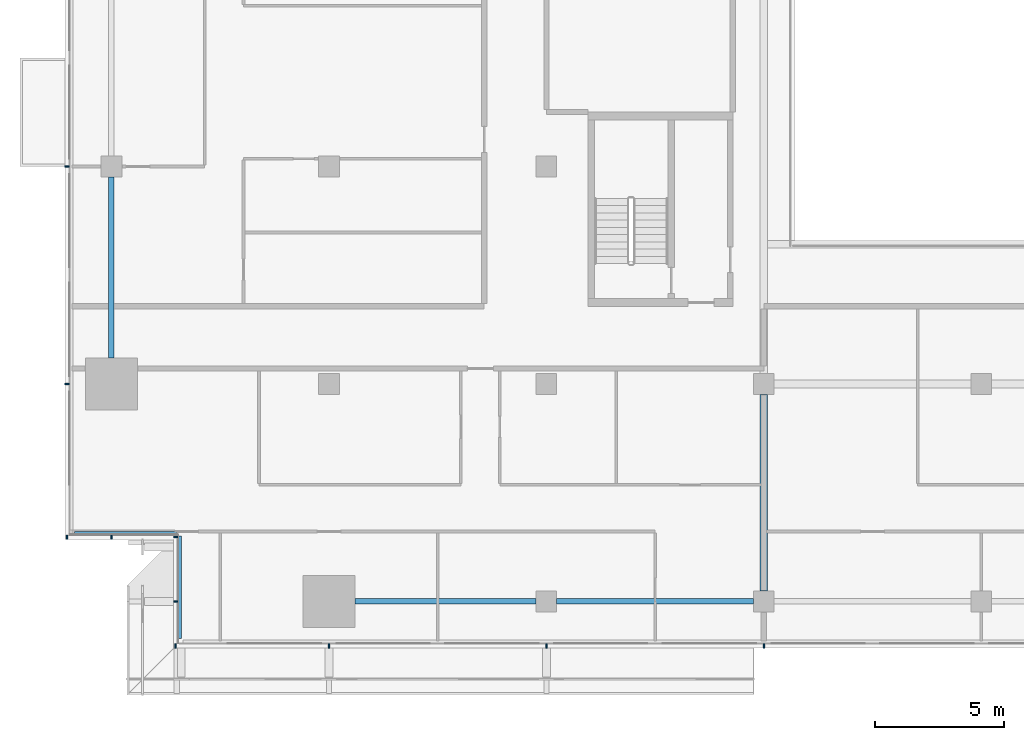
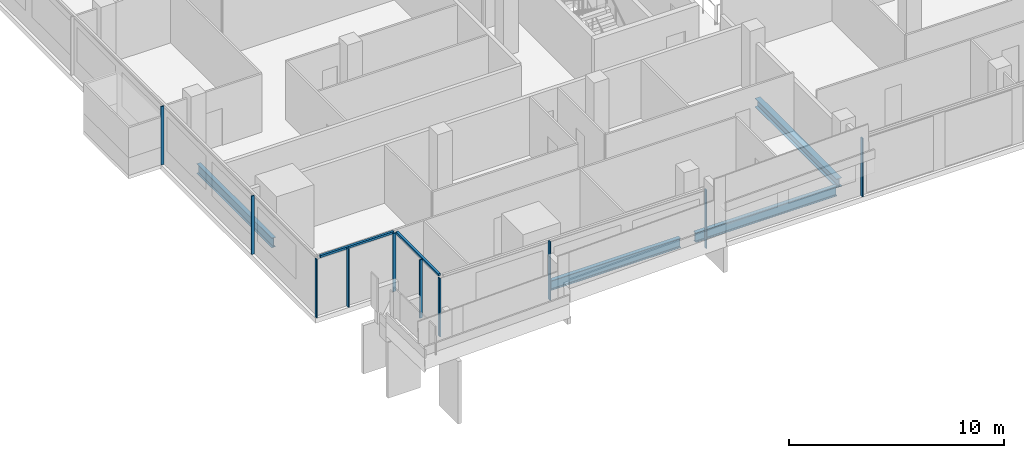
# One storey, part 2 of 29: 12 members, 4 beams, 4 elements without a shape of their own.
"""IFC4 building model written with IfcOpenShell, lengths in metres."""

import ifcopenshell
import ifcopenshell.guid

model = None  # the IFC model being written
_history = None  # IfcOwnerHistory: only IFC2X3 demands one
_inside = {}  # id of a spatial element -> (the spatial element, [elements in it])
_under = {}  # id of a project, library or spatial element -> (it, [spatial elements below it])
_declared = {}  # id of a project -> (the project, [libraries it declares])
_typed = {}  # id of a type object -> (the type object, [elements of that type])
_made_of = {}  # id of a material, layer set ... -> (it, [elements and type objects made of it])


def new_model(schema):
    """Start an empty IFC model of exactly this schema.

    Asked for "IFC4X3", IfcOpenShell would pick the latest addendum, in which some entities
    have other attributes; the version numbers below select the first issue.
    IFC2X3 requires an IfcOwnerHistory on every rooted entity: one is made here for all.
    """
    global model, _history
    if schema == "IFC4X3":
        model = ifcopenshell.file(schema_version=(4, 3, 0, 0))
    else:
        model = ifcopenshell.file(schema=schema)
    _inside.clear()
    _under.clear()
    _declared.clear()
    _typed.clear()
    _made_of.clear()
    _history = None
    if model.schema == "IFC2X3":
        org = make("IfcOrganization", Name="unknown")
        user = make(
            "IfcPersonAndOrganization",
            ThePerson=make("IfcPerson", FamilyName="unknown"),
            TheOrganization=org,
        )
        app = make(
            "IfcApplication",
            ApplicationDeveloper=org,
            Version="unknown",
            ApplicationFullName="unknown",
            ApplicationIdentifier="unknown",
        )
        _history = make(
            "IfcOwnerHistory",
            OwningUser=user,
            OwningApplication=app,
            ChangeAction="ADDED",
            CreationDate=0,
        )
    return model


def make(cls, **values):
    """One entity of the class cls with the attributes given. An attribute that is None is left unset."""
    return model.create_entity(
        cls, **{name: value for name, value in values.items() if value is not None}
    )


def rooted(cls, **values):
    """An entity with a GlobalId (a new one), such as an element, a storey or a relation."""
    return make(cls, GlobalId=ifcopenshell.guid.new(), OwnerHistory=_history, **values)


def si_unit(unit_type, name, prefix=None):
    """IfcSIUnit, for example si_unit("LENGTHUNIT", "METRE", prefix="MILLI")."""
    return make("IfcSIUnit", UnitType=unit_type, Prefix=prefix, Name=name)


def assignment(units):
    """IfcUnitAssignment: the units of a project."""
    return None if units is None else make("IfcUnitAssignment", Units=units)


def point(xyz):
    """IfcCartesianPoint."""
    return None if xyz is None else make("IfcCartesianPoint", Coordinates=xyz)


def direction(xyz):
    """IfcDirection."""
    return None if xyz is None else make("IfcDirection", DirectionRatios=xyz)


def frame(location, z_axis=None, x_axis=None):
    """IfcAxis2Placement3D, a coordinate frame: its origin and axes. An axis left out is left unset."""
    return make(
        "IfcAxis2Placement3D",
        Location=point(location),
        Axis=direction(z_axis),
        RefDirection=direction(x_axis),
    )


def frame_2d(location, x_axis=None):
    """IfcAxis2Placement2D, a coordinate frame in the plane: its origin and x axis."""
    return make(
        "IfcAxis2Placement2D", Location=point(location), RefDirection=direction(x_axis)
    )


def origin():
    """The frame at (0, 0, 0) with its axes left unset."""
    return frame((0.0, 0.0, 0.0))


def origin_2d():
    """The frame at (0, 0) in the plane with its x axis left unset."""
    return frame_2d((0.0, 0.0))


def place(relative_to, where):
    """IfcLocalPlacement: puts the frame where relative to a parent placement (None: the world)."""
    return make(
        "IfcLocalPlacement", PlacementRelTo=relative_to, RelativePlacement=where
    )


def context(
    kind, dimensions, precision=None, world=None, true_north=None, identifier=None
):
    """IfcGeometricRepresentationContext, for example the 3D "Model" context."""
    return make(
        "IfcGeometricRepresentationContext",
        ContextIdentifier=identifier,
        ContextType=kind,
        CoordinateSpaceDimension=dimensions,
        Precision=precision,
        WorldCoordinateSystem=world,
        TrueNorth=true_north,
    )


def subcontext(parent, identifier, kind, view, scale=None):
    """IfcGeometricRepresentationSubContext, for example "Body" below "Model"."""
    return make(
        "IfcGeometricRepresentationSubContext",
        ContextIdentifier=identifier,
        ContextType=kind,
        ParentContext=parent,
        TargetScale=scale,
        TargetView=view,
    )


def project(units=None, contexts=None):
    """IfcProject with its units and contexts."""
    return rooted(
        "IfcProject",
        Name="project",
        RepresentationContexts=contexts,
        UnitsInContext=assignment(units),
    )


def spatial(cls, under=None, at=None, **own):
    """A site, building, storey or space (cls), placed at a placement, below another one or the project."""
    s = rooted(cls, ObjectPlacement=at, **own)
    if under is not None:
        _under.setdefault(under.id(), (under, []))[1].append(s)
    return s


def profile(cls, at=None, kind="AREA", **sizes):
    """A parametric profile (cls). Its sizes go by their IFC names, for example OverallWidth=200.0."""
    return make(cls, ProfileType=kind, Position=at, **sizes)


def rectangle(**sizes):
    """IfcRectangleProfileDef."""
    return profile("IfcRectangleProfileDef", **sizes)


def i_section(**sizes):
    """IfcIShapeProfileDef."""
    return profile("IfcIShapeProfileDef", **sizes)


def extrude(swept, where, along, depth):
    """IfcExtrudedAreaSolid: the profile swept, set in the frame where, extruded along a direction by depth."""
    return make(
        "IfcExtrudedAreaSolid",
        SweptArea=swept,
        Position=where,
        ExtrudedDirection=direction(along),
        Depth=depth,
    )


def shape(context_of_items, identifier, shape_type, items):
    """IfcShapeRepresentation: the items that make up one representation, for example the "Body"."""
    return make(
        "IfcShapeRepresentation",
        ContextOfItems=context_of_items,
        RepresentationIdentifier=identifier,
        RepresentationType=shape_type,
        Items=items,
    )


def material(Name=None, Category=None):
    """IfcMaterial."""
    return make("IfcMaterial", Name=Name, Category=Category)


def material_profile(
    of_material, cross_section, Name=None, Category=None, Priority=None
):
    """IfcMaterialProfile: a cross section and its material."""
    return make(
        "IfcMaterialProfile",
        Name=Name,
        Material=of_material,
        Profile=cross_section,
        Priority=Priority,
        Category=Category,
    )


def profile_set(profiles, Name=None, composite=None):
    """IfcMaterialProfileSet."""
    return make(
        "IfcMaterialProfileSet",
        Name=Name,
        MaterialProfiles=profiles,
        CompositeProfile=composite,
    )


def made_of(thing, what):
    """Note that an element or type object is made of a material, layer set ...; save() writes the relation."""
    if what is not None:
        _made_of.setdefault(what.id(), (what, []))[1].append(thing)
    return thing


def type_object(cls, material=None, **own):
    """A type object (cls), such as IfcWallType, which elements share."""
    return made_of(rooted(cls, **own), material)


def element(
    cls,
    number,
    at=None,
    inside=None,
    cuts=None,
    type_object=None,
    material=None,
    context=None,
    identifier="Body",
    shape_type=None,
    held_by="IfcProductDefinitionShape",
    body=None,
    shapes=None,
    **own,
):
    """One element of the class cls, such as IfcWall. Its Tag is "e" and its number.

    at: its placement. inside: the storey or other place that contains it. cuts: it is an
    opening in that element (IfcRelVoidsElement). A single representation is given by context,
    identifier, shape_type and body (its items); several are given by shapes. held_by: the class
    of the entity that holds the representations. save() writes the other relations.
    """
    e = rooted(cls, Tag="e%d" % number, ObjectPlacement=at, **own)
    if body is not None:
        shapes = [shape(context, identifier, shape_type, body)]
    if shapes is not None:
        e.Representation = make(held_by, Representations=shapes)
    if inside is not None:
        _inside.setdefault(inside.id(), (inside, []))[1].append(e)
    if cuts is not None:
        rooted(
            "IfcRelVoidsElement", RelatingBuildingElement=cuts, RelatedOpeningElement=e
        )
    if type_object is not None:
        _typed.setdefault(type_object.id(), (type_object, []))[1].append(e)
    return made_of(e, material)


def aggregate(whole, parts):
    """IfcRelAggregates: a whole, such as a stair, and the parts it consists of."""
    return rooted("IfcRelAggregates", RelatingObject=whole, RelatedObjects=parts)


def save(model, path):
    """Write the relations noted so far, then the file.

    IfcRelAggregates (storeys below a building ...), IfcRelContainedInSpatialStructure (elements
    in a storey), IfcRelDefinesByType, IfcRelAssociatesMaterial and IfcRelDeclares: one each for
    every whole, place, type object, material and project.
    """
    for whole, parts in _under.values():
        aggregate(whole, parts)
    for where, things in _inside.values():
        rooted(
            "IfcRelContainedInSpatialStructure",
            RelatedElements=things,
            RelatingStructure=where,
        )
    for kind, things in _typed.values():
        rooted("IfcRelDefinesByType", RelatedObjects=things, RelatingType=kind)
    for what, things in _made_of.values():
        rooted("IfcRelAssociatesMaterial", RelatedObjects=things, RelatingMaterial=what)
    for by, libraries in _declared.values():
        rooted("IfcRelDeclares", RelatingContext=by, RelatedDefinitions=libraries)
    model.write(path)


model = new_model("IFC4")

# Units and contexts
model_context = context("Model", 3, precision=1e-05, world=origin(), true_north=direction((0.0, 1.0)))
body_context = subcontext(model_context, "Body", "Model", "MODEL_VIEW")
ifc_project = project(units=[si_unit("LENGTHUNIT", "METRE"), si_unit("AREAUNIT", "SQUARE_METRE"), si_unit("VOLUMEUNIT", "CUBIC_METRE"), si_unit("PLANEANGLEUNIT", "RADIAN"), si_unit("MASSUNIT", "GRAM", prefix="KILO")], contexts=[model_context])

# Site, building, storey
site_placement = place(None, origin())
site = spatial("IfcSite", under=ifc_project, at=site_placement, CompositionType="ELEMENT")
building_placement = place(site_placement, origin())
building = spatial("IfcBuilding", under=site, at=building_placement, Name="Saffron Gate Tower", CompositionType="ELEMENT")
storey_placement = place(building_placement, frame((0.0, 0.0, 116.85009765625)))
storey = spatial("IfcBuildingStorey", under=building, at=storey_placement, Name="L27", CompositionType="ELEMENT", Elevation=116.85009765625)

# Beams
ifc_material_1 = material(Name="Structural steel S355", Category="steel")
ifc_material_profile_1 = material_profile(ifc_material_1, i_section(OverallWidth=0.2099609375, OverallDepth=0.550048828125, WebThickness=0.010986328125, FlangeThickness=0.01708984375, FilletRadius=0.02392578125, at=origin_2d()))
ifc_profile_set_1 = profile_set([ifc_material_profile_1], Name="Structural steel S355")
beam_type_1 = type_object("IfcBeamType", Name="B13 IPE 550", PredefinedType="SPANDREL", material=ifc_profile_set_1)
for number, where, z_axis, x_axis, name in (
    (1, (49.800048828125, 41.199951171875, -0.55517578125), (0.0, 1.0, 0.0), (-1.0, 0.0, 0.0), "B13 SPANDREL BEAM"),
    (2, (59.199951171875, 31.800048828125, -0.55517578125), (1.0, 0.0, 0.0), (0.0, 1.0, 0.0), "B13 SPANDREL BEAM"),
):
    element("IfcBeam", number, at=place(storey_placement, frame(where, z_axis=z_axis, x_axis=x_axis)), inside=storey, type_object=beam_type_1, Name=name, PredefinedType="SPANDREL", context=body_context, shape_type="SweptSolid", body=[
        extrude(i_section(OverallWidth=0.2099609375, OverallDepth=0.550048828125, WebThickness=0.010986328125, FlangeThickness=0.01708984375, FilletRadius=0.02392578125, at=origin_2d()), origin(), (0.0, 0.0, 1.0), 7.0),
    ])
beam_1_placement = place(storey_placement, frame((67.0, 31.800048828125, -0.55517578125), z_axis=(1.0, 0.0, 0.0), x_axis=(0.0, 1.0, 0.0)))
element("IfcBeam", 3, at=beam_1_placement, inside=storey, type_object=beam_type_1, Name="B13 SPANDREL BEAM", PredefinedType="SPANDREL", context=body_context, shape_type="SweptSolid", body=[
    extrude(i_section(OverallWidth=0.2099609375, OverallDepth=0.550048828125, WebThickness=0.010986328125, FlangeThickness=0.01708984375, FilletRadius=0.02392578125, at=origin_2d()), origin(), (0.0, 0.0, 1.0), 7.60009765625),
])
ifc_material_profile_2 = material_profile(ifc_material_1, i_section(OverallWidth=0.300048828125, OverallDepth=0.489990234375, WebThickness=0.011962890625, FlangeThickness=0.02294921875, FilletRadius=0.027099609375, at=origin_2d()))
ifc_profile_set_2 = profile_set([ifc_material_profile_2], Name="Structural steel S355")
beam_type_2 = type_object("IfcBeamType", Name="B8 HEA 500", PredefinedType="BEAM", material=ifc_profile_set_2)
beam_2_placement = place(storey_placement, frame((75.0, 32.199951171875, -0.525146484375), z_axis=(0.0, 1.0, 0.0), x_axis=(-1.0, 0.0, 0.0)))
element("IfcBeam", 4, at=beam_2_placement, inside=storey, type_object=beam_type_2, Name="B8 FLOOR GIRDER", PredefinedType="BEAM", context=body_context, shape_type="SweptSolid", body=[
    extrude(i_section(OverallWidth=0.300048828125, OverallDepth=0.489990234375, WebThickness=0.011962890625, FlangeThickness=0.02294921875, FilletRadius=0.027099609375, at=origin_2d()), origin(), (0.0, 0.0, 1.0), 7.60009765625),
])

# Curtain wall, members
ifc_material_2 = material(Name="Aluminium, bronze anodised", Category="aluminium")
curtain_wall_type_1 = type_object("IfcCurtainWallType", Name="CWS1 curtain wall front facade", PredefinedType="NOTDEFINED", material=ifc_material_2)
curtain_wall_1_placement = place(storey_placement, origin())
curtain_wall_1 = element("IfcCurtainWall", 5, at=curtain_wall_1_placement, inside=storey, type_object=curtain_wall_type_1, Name="CWS1 run 1", PredefinedType="NOTDEFINED")
ifc_material_profile_3 = material_profile(ifc_material_2, rectangle(XDim=0.159912109375, YDim=0.06005859375, at=origin_2d()))
ifc_profile_set_3 = profile_set([ifc_material_profile_3], Name="Aluminium, bronze anodised")
member_type_1 = type_object("IfcMemberType", Name="CWS1 mullion 60x160", PredefinedType="MULLION", material=ifc_profile_set_3)
member_1_placement = place(storey_placement, frame((52.280029296875, 30.080078125, 0.0), z_axis=(0.0, 0.0, 1.0), x_axis=(0.0, 1.0, 0.0)))
member_1 = element("IfcMember", 6, at=member_1_placement, type_object=member_type_1, Name="CWS1 mullion 1", PredefinedType="MULLION", context=body_context, shape_type="SweptSolid", body=[
    extrude(rectangle(XDim=0.159912109375, YDim=0.06005859375, at=origin_2d()), origin(), (0.0, 0.0, 1.0), 3.31982421875),
])
member_2_placement = place(storey_placement, frame((58.199951171875, 30.080078125, 0.0), z_axis=(0.0, 0.0, 1.0), x_axis=(0.0, 1.0, 0.0)))
member_2 = element("IfcMember", 7, at=member_2_placement, type_object=member_type_1, Name="CWS1 mullion 2", PredefinedType="MULLION", context=body_context, shape_type="SweptSolid", body=[
    extrude(rectangle(XDim=0.159912109375, YDim=0.06005859375, at=origin_2d()), origin(), (0.0, 0.0, 1.0), 3.31982421875),
])
member_3_placement = place(storey_placement, frame((66.60009765625, 30.080078125, 0.0), z_axis=(0.0, 0.0, 1.0), x_axis=(0.0, 1.0, 0.0)))
member_3 = element("IfcMember", 8, at=member_3_placement, type_object=member_type_1, Name="CWS1 mullion 3", PredefinedType="MULLION", context=body_context, shape_type="SweptSolid", body=[
    extrude(rectangle(XDim=0.159912109375, YDim=0.06005859375, at=origin_2d()), origin(), (0.0, 0.0, 1.0), 3.31982421875),
])
member_4_placement = place(storey_placement, frame((75.0, 30.080078125, 0.0), z_axis=(0.0, 0.0, 1.0), x_axis=(0.0, 1.0, 0.0)))
member_4 = element("IfcMember", 9, at=member_4_placement, type_object=member_type_1, Name="CWS1 mullion 4", PredefinedType="MULLION", context=body_context, shape_type="SweptSolid", body=[
    extrude(rectangle(XDim=0.159912109375, YDim=0.06005859375, at=origin_2d()), origin(), (0.0, 0.0, 1.0), 3.31982421875),
])
aggregate(curtain_wall_1, [member_1, member_2, member_3, member_4])

curtain_wall_type_2 = type_object("IfcCurtainWallType", Name="CWS2 curtain wall side facades", PredefinedType="NOTDEFINED", material=ifc_material_2)
curtain_wall_2_placement = place(storey_placement, origin())
curtain_wall_2 = element("IfcCurtainWall", 10, at=curtain_wall_2_placement, inside=storey, type_object=curtain_wall_type_2, Name="CWS2 run 10", PredefinedType="NOTDEFINED")
ifc_material_profile_4 = material_profile(ifc_material_2, rectangle(XDim=0.159912109375, YDim=0.06005859375, at=origin_2d()))
ifc_profile_set_4 = profile_set([ifc_material_profile_4], Name="Aluminium, bronze anodised")
member_type_2 = type_object("IfcMemberType", Name="CWS2 mullion 60x160", PredefinedType="MULLION", material=ifc_profile_set_4)
member_5_placement = place(storey_placement, frame((48.080078125, 48.60009765625, 0.0), z_axis=(0.0, 0.0, 1.0), x_axis=(1.0, 0.0, 0.0)))
member_5 = element("IfcMember", 11, at=member_5_placement, type_object=member_type_2, Name="CWS2 mullion 4", PredefinedType="MULLION", context=body_context, shape_type="SweptSolid", body=[
    extrude(rectangle(XDim=0.159912109375, YDim=0.06005859375, at=origin_2d()), origin(), (0.0, 0.0, 1.0), 3.31982421875),
])
member_6_placement = place(storey_placement, frame((48.080078125, 40.199951171875, 0.0), z_axis=(0.0, 0.0, 1.0), x_axis=(1.0, 0.0, 0.0)))
member_6 = element("IfcMember", 12, at=member_6_placement, type_object=member_type_2, Name="CWS2 mullion 5", PredefinedType="MULLION", context=body_context, shape_type="SweptSolid", body=[
    extrude(rectangle(XDim=0.159912109375, YDim=0.06005859375, at=origin_2d()), origin(), (0.0, 0.0, 1.0), 3.31982421875),
])
aggregate(curtain_wall_2, [member_5, member_6])

# Curtain wall, member
curtain_wall_type_3 = type_object("IfcCurtainWallType", Name="CWS4 curtain wall corner returns", PredefinedType="NOTDEFINED", material=ifc_material_2)
curtain_wall_3_placement = place(storey_placement, origin())
curtain_wall_3 = element("IfcCurtainWall", 13, at=curtain_wall_3_placement, inside=storey, type_object=curtain_wall_type_3, Name="CWS4 run 11", PredefinedType="NOTDEFINED")
ifc_material_profile_5 = material_profile(ifc_material_2, rectangle(XDim=0.1201171875, YDim=0.1201171875, at=origin_2d()))
ifc_profile_set_5 = profile_set([ifc_material_profile_5], Name="Aluminium, bronze anodised")
member_type_3 = type_object("IfcMemberType", Name="CWS4 head transom", PredefinedType="USERDEFINED", material=ifc_profile_set_5)
member_7_placement = place(storey_placement, frame((48.367919921875, 34.447998046875, 3.260009765625), z_axis=(1.0, 0.0, 0.0), x_axis=(0.0, 1.0, 0.0)))
member_7 = element("IfcMember", 14, at=member_7_placement, type_object=member_type_3, Name="CWS4 head transom", ObjectType="TRANSOM", PredefinedType="USERDEFINED", context=body_context, shape_type="SweptSolid", body=[
    extrude(rectangle(XDim=0.1201171875, YDim=0.1201171875, at=origin_2d()), origin(), (0.0, 0.0, 1.0), 3.9599609375),
])

curtain_wall_4_placement = place(storey_placement, origin())
curtain_wall_4 = element("IfcCurtainWall", 15, at=curtain_wall_4_placement, inside=storey, type_object=curtain_wall_type_3, Name="CWS4 run 12", PredefinedType="NOTDEFINED")
member_8_placement = place(storey_placement, frame((52.447998046875, 34.327880859375, 3.260009765625), z_axis=(0.0, -1.0, 0.0), x_axis=(1.0, 0.0, 0.0)))
member_8 = element("IfcMember", 16, at=member_8_placement, type_object=member_type_3, Name="CWS4 head transom", ObjectType="TRANSOM", PredefinedType="USERDEFINED", context=body_context, shape_type="SweptSolid", body=[
    extrude(rectangle(XDim=0.1201171875, YDim=0.1201171875, at=origin_2d()), origin(), (0.0, 0.0, 1.0), 3.9599609375),
])

# Member
ifc_material_profile_6 = material_profile(ifc_material_2, rectangle(XDim=0.159912109375, YDim=0.06005859375, at=origin_2d()))
ifc_profile_set_6 = profile_set([ifc_material_profile_6], Name="Aluminium, bronze anodised")
member_type_4 = type_object("IfcMemberType", Name="CWS4 mullion 60x160", PredefinedType="MULLION", material=ifc_profile_set_6)
member_9_placement = place(storey_placement, frame((48.080078125, 34.280029296875, 0.0), z_axis=(0.0, 0.0, 1.0), x_axis=(0.0, 1.0, 0.0)))
member_9 = element("IfcMember", 17, at=member_9_placement, type_object=member_type_4, Name="CWS4 mullion 1", PredefinedType="MULLION", context=body_context, shape_type="SweptSolid", body=[
    extrude(rectangle(XDim=0.159912109375, YDim=0.06005859375, at=origin_2d()), origin(), (0.0, 0.0, 1.0), 3.31982421875),
])

member_10_placement = place(storey_placement, frame((49.800048828125, 34.280029296875, 0.0), z_axis=(0.0, 0.0, 1.0), x_axis=(0.0, 1.0, 0.0)))
member_10 = element("IfcMember", 18, at=member_10_placement, type_object=member_type_4, Name="CWS4 mullion 2", PredefinedType="MULLION", context=body_context, shape_type="SweptSolid", body=[
    extrude(rectangle(XDim=0.159912109375, YDim=0.06005859375, at=origin_2d()), origin(), (0.0, 0.0, 1.0), 3.31982421875),
])

aggregate(curtain_wall_3, [member_9, member_10, member_7])

member_11_placement = place(storey_placement, frame((52.280029296875, 34.280029296875, 0.0), z_axis=(0.0, 0.0, 1.0), x_axis=(1.0, 0.0, 0.0)))
member_11 = element("IfcMember", 19, at=member_11_placement, type_object=member_type_4, Name="CWS4 mullion 1", PredefinedType="MULLION", context=body_context, shape_type="SweptSolid", body=[
    extrude(rectangle(XDim=0.159912109375, YDim=0.06005859375, at=origin_2d()), origin(), (0.0, 0.0, 1.0), 3.31982421875),
])

member_12_placement = place(storey_placement, frame((52.280029296875, 31.800048828125, 0.0), z_axis=(0.0, 0.0, 1.0), x_axis=(1.0, 0.0, 0.0)))
member_12 = element("IfcMember", 20, at=member_12_placement, type_object=member_type_4, Name="CWS4 mullion 2", PredefinedType="MULLION", context=body_context, shape_type="SweptSolid", body=[
    extrude(rectangle(XDim=0.159912109375, YDim=0.06005859375, at=origin_2d()), origin(), (0.0, 0.0, 1.0), 3.31982421875),
])

aggregate(curtain_wall_4, [member_11, member_12, member_8])

save(model, "model.ifc")
